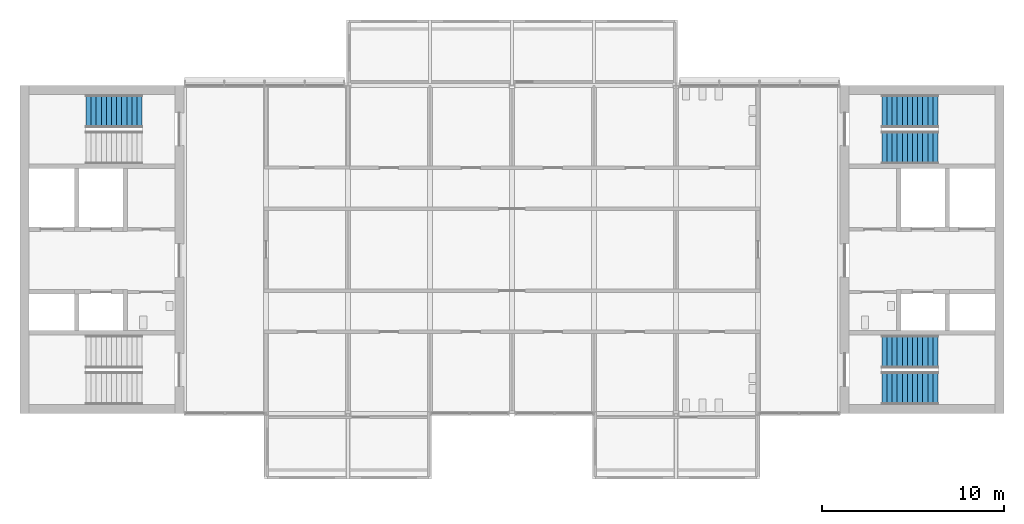
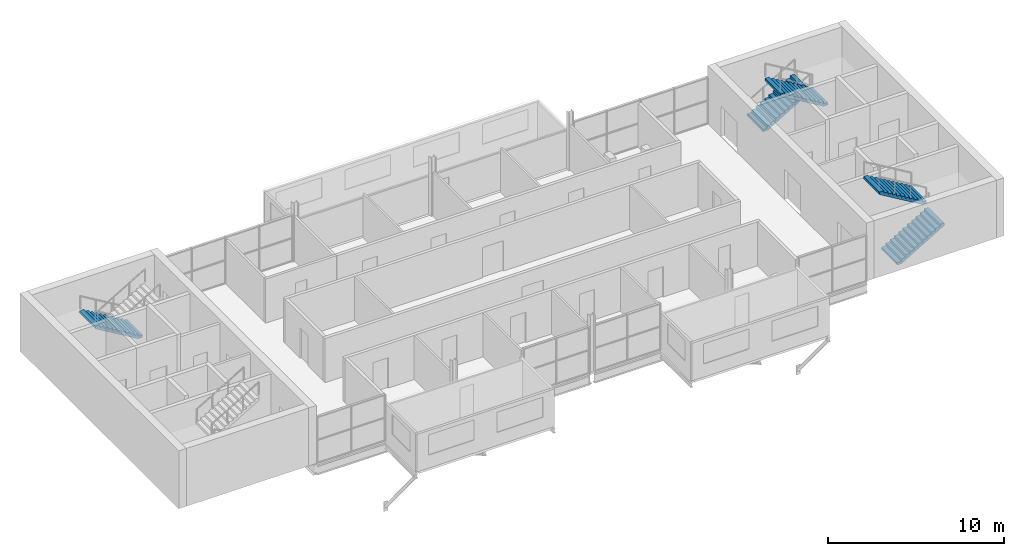
# One storey, part 9 of 12: 5 stair flights, 3 elements without a shape of their own.
"""IFC4 building model written with IfcOpenShell, lengths in metres."""

from ifc_helpers import new_model, si_unit, direction, frame, origin, place, context, subcontext, project, spatial, polyline, outline, extrude, material, type_object, element, aggregate, save


model = new_model("IFC4")

# Units and contexts
model_context = context("Model", 3, precision=1e-05, world=origin(), true_north=direction((0.0, 1.0)))
body_context = subcontext(model_context, "Body", "Model", "MODEL_VIEW")
ifc_project = project(units=[si_unit("LENGTHUNIT", "METRE"), si_unit("AREAUNIT", "SQUARE_METRE"), si_unit("VOLUMEUNIT", "CUBIC_METRE"), si_unit("PLANEANGLEUNIT", "RADIAN"), si_unit("MASSUNIT", "GRAM", prefix="KILO")], contexts=[model_context])

# Site, building, storey
site_placement = place(None, origin())
site = spatial("IfcSite", under=ifc_project, at=site_placement, CompositionType="ELEMENT")
building_placement = place(site_placement, origin())
building = spatial("IfcBuilding", under=site, at=building_placement, Name="Corbel Yard City Hall", CompositionType="ELEMENT")
storey_placement = place(building_placement, frame((0.0, 0.0, 55.199951171875)))
storey = spatial("IfcBuildingStorey", under=building, at=storey_placement, Name="L13", CompositionType="ELEMENT", Elevation=55.199951171875)

# Stair, stair flight
ifc_material = material(Name="Concrete N40 (40 MPa)", Category="concrete")
stair_type = type_object("IfcStairType", Name="ST4", PredefinedType="HALF_TURN_STAIR", material=ifc_material)
stair_1_placement = place(storey_placement, origin())
stair_1 = element("IfcStair", 1, at=stair_1_placement, inside=storey, type_object=stair_type, Name="Exit stair ST-W2 L13", PredefinedType="HALF_TURN_STAIR")
stair_flight_type = type_object("IfcStairFlightType", Name="FL4", PredefinedType="STRAIGHT", material=ifc_material)
stair_flight_1_placement = place(storey_placement, frame((6.699951171875, 115.60009765625, 0.0), z_axis=(0.0, 0.0, 1.0), x_axis=(-1.0, 0.0, 0.0)))
stair_flight_1 = element("IfcStairFlight", 2, at=stair_flight_1_placement, type_object=stair_flight_type, Name="ST-W2 flight 1", NumberOfRisers=12, NumberOfTreads=11, PredefinedType="STRAIGHT", RiserHeight=0.166667, TreadLength=0.28, context=body_context, shape_type="SweptSolid", body=[
    extrude(outline(polyline([(0.0, 0.0), (0.0, 0.166748046875), (0.280029296875, 0.166748046875), (0.280029296875, 0.333251953125), (0.56005859375, 0.333251953125), (0.56005859375, 0.5), (0.840087890625, 0.5), (0.840087890625, 0.666748046875), (1.1201171875, 0.666748046875), (1.1201171875, 0.833251953125), (1.39990234375, 0.833251953125), (1.39990234375, 1.0), (1.679931640625, 1.0), (1.679931640625, 1.166748046875), (1.9599609375, 1.166748046875), (1.9599609375, 1.333251953125), (2.239990234375, 1.333251953125), (2.239990234375, 1.5), (2.52001953125, 1.5), (2.52001953125, 1.666748046875), (2.800048828125, 1.666748046875), (2.800048828125, 1.833251953125), (3.080078125, 1.833251953125), (3.080078125, 2.0), (3.080078125, 1.658935546875), (0.29296875, 0.0), (0.0, 0.0)])), frame((0.0, 0.89990234375, 0.0), z_axis=(0.0, -1.0, 0.0), x_axis=(1.0, 0.0, 0.0)), (0.0, 0.0, 1.0), 1.800048828125),
])
aggregate(stair_1, [stair_flight_1])

# Stair, stair flights
stair_2_placement = place(storey_placement, origin())
stair_2 = element("IfcStair", 3, at=stair_2_placement, inside=storey, type_object=stair_type, Name="Exit stair ST-E1 L13", PredefinedType="HALF_TURN_STAIR")
stair_flight_2_placement = place(storey_placement, frame((47.300048828125, 100.39990234375, 0.0), z_axis=(0.0, 0.0, 1.0), x_axis=(1.0, 0.0, 0.0)))
stair_flight_2 = element("IfcStairFlight", 4, at=stair_flight_2_placement, type_object=stair_flight_type, Name="ST-E1 flight 1", NumberOfRisers=12, NumberOfTreads=11, PredefinedType="STRAIGHT", RiserHeight=0.166667, TreadLength=0.28, context=body_context, shape_type="SweptSolid", body=[
    extrude(outline(polyline([(0.0, 0.0), (0.0, 0.166748046875), (0.280029296875, 0.166748046875), (0.280029296875, 0.333251953125), (0.56005859375, 0.333251953125), (0.56005859375, 0.5), (0.840087890625, 0.5), (0.840087890625, 0.666748046875), (1.1201171875, 0.666748046875), (1.1201171875, 0.833251953125), (1.39990234375, 0.833251953125), (1.39990234375, 1.0), (1.679931640625, 1.0), (1.679931640625, 1.166748046875), (1.9599609375, 1.166748046875), (1.9599609375, 1.333251953125), (2.239990234375, 1.333251953125), (2.239990234375, 1.5), (2.52001953125, 1.5), (2.52001953125, 1.666748046875), (2.800048828125, 1.666748046875), (2.800048828125, 1.833251953125), (3.080078125, 1.833251953125), (3.080078125, 2.0), (3.080078125, 1.658935546875), (0.29296875, 0.0), (0.0, 0.0)])), frame((0.0, 0.89990234375, 0.0), z_axis=(0.0, -1.0, 0.0), x_axis=(1.0, 0.0, 0.0)), (0.0, 0.0, 1.0), 1.800048828125),
])
stair_flight_3_placement = place(storey_placement, frame((50.3798828125, 102.39990234375, 2.0), z_axis=(0.0, 0.0, 1.0), x_axis=(-1.0, 0.0, 0.0)))
stair_flight_3 = element("IfcStairFlight", 5, at=stair_flight_3_placement, type_object=stair_flight_type, Name="ST-E1 flight 2", NumberOfRisers=12, NumberOfTreads=11, PredefinedType="STRAIGHT", RiserHeight=0.166667, TreadLength=0.28, context=body_context, shape_type="SweptSolid", body=[
    extrude(outline(polyline([(0.0, 0.0), (0.0, 0.166748046875), (0.280029296875, 0.166748046875), (0.280029296875, 0.333251953125), (0.56005859375, 0.333251953125), (0.56005859375, 0.5), (0.840087890625, 0.5), (0.840087890625, 0.666748046875), (1.1201171875, 0.666748046875), (1.1201171875, 0.833251953125), (1.39990234375, 0.833251953125), (1.39990234375, 1.0), (1.679931640625, 1.0), (1.679931640625, 1.166748046875), (1.9599609375, 1.166748046875), (1.9599609375, 1.333251953125), (2.239990234375, 1.333251953125), (2.239990234375, 1.5), (2.52001953125, 1.5), (2.52001953125, 1.666748046875), (2.800048828125, 1.666748046875), (2.800048828125, 1.833251953125), (3.080078125, 1.833251953125), (3.080078125, 2.0), (3.080078125, 1.658935546875), (0.29296875, 0.0), (0.0, 0.0)])), frame((0.0, 0.89990234375, 0.0), z_axis=(0.0, -1.0, 0.0), x_axis=(1.0, 0.0, 0.0)), (0.0, 0.0, 1.0), 1.800048828125),
])
aggregate(stair_2, [stair_flight_2, stair_flight_3])

stair_3_placement = place(storey_placement, origin())
stair_3 = element("IfcStair", 6, at=stair_3_placement, inside=storey, type_object=stair_type, Name="Exit stair ST-E2 L13", PredefinedType="HALF_TURN_STAIR")
stair_flight_4_placement = place(storey_placement, frame((47.300048828125, 115.60009765625, 0.0), z_axis=(0.0, 0.0, 1.0), x_axis=(1.0, 0.0, 0.0)))
stair_flight_4 = element("IfcStairFlight", 7, at=stair_flight_4_placement, type_object=stair_flight_type, Name="ST-E2 flight 1", NumberOfRisers=12, NumberOfTreads=11, PredefinedType="STRAIGHT", RiserHeight=0.166667, TreadLength=0.28, context=body_context, shape_type="SweptSolid", body=[
    extrude(outline(polyline([(0.0, 0.0), (0.0, 0.166748046875), (0.280029296875, 0.166748046875), (0.280029296875, 0.333251953125), (0.56005859375, 0.333251953125), (0.56005859375, 0.5), (0.840087890625, 0.5), (0.840087890625, 0.666748046875), (1.1201171875, 0.666748046875), (1.1201171875, 0.833251953125), (1.39990234375, 0.833251953125), (1.39990234375, 1.0), (1.679931640625, 1.0), (1.679931640625, 1.166748046875), (1.9599609375, 1.166748046875), (1.9599609375, 1.333251953125), (2.239990234375, 1.333251953125), (2.239990234375, 1.5), (2.52001953125, 1.5), (2.52001953125, 1.666748046875), (2.800048828125, 1.666748046875), (2.800048828125, 1.833251953125), (3.080078125, 1.833251953125), (3.080078125, 2.0), (3.080078125, 1.658935546875), (0.29296875, 0.0), (0.0, 0.0)])), frame((0.0, 0.89990234375, 0.0), z_axis=(0.0, -1.0, 0.0), x_axis=(1.0, 0.0, 0.0)), (0.0, 0.0, 1.0), 1.800048828125),
])
stair_flight_5_placement = place(storey_placement, frame((50.3798828125, 113.60009765625, 2.0), z_axis=(0.0, 0.0, 1.0), x_axis=(-1.0, 0.0, 0.0)))
stair_flight_5 = element("IfcStairFlight", 8, at=stair_flight_5_placement, type_object=stair_flight_type, Name="ST-E2 flight 2", NumberOfRisers=12, NumberOfTreads=11, PredefinedType="STRAIGHT", RiserHeight=0.166667, TreadLength=0.28, context=body_context, shape_type="SweptSolid", body=[
    extrude(outline(polyline([(0.0, 0.0), (0.0, 0.166748046875), (0.280029296875, 0.166748046875), (0.280029296875, 0.333251953125), (0.56005859375, 0.333251953125), (0.56005859375, 0.5), (0.840087890625, 0.5), (0.840087890625, 0.666748046875), (1.1201171875, 0.666748046875), (1.1201171875, 0.833251953125), (1.39990234375, 0.833251953125), (1.39990234375, 1.0), (1.679931640625, 1.0), (1.679931640625, 1.166748046875), (1.9599609375, 1.166748046875), (1.9599609375, 1.333251953125), (2.239990234375, 1.333251953125), (2.239990234375, 1.5), (2.52001953125, 1.5), (2.52001953125, 1.666748046875), (2.800048828125, 1.666748046875), (2.800048828125, 1.833251953125), (3.080078125, 1.833251953125), (3.080078125, 2.0), (3.080078125, 1.658935546875), (0.29296875, 0.0), (0.0, 0.0)])), frame((0.0, 0.89990234375, 0.0), z_axis=(0.0, -1.0, 0.0), x_axis=(1.0, 0.0, 0.0)), (0.0, 0.0, 1.0), 1.800048828125),
])
aggregate(stair_3, [stair_flight_4, stair_flight_5])

save(model, "model.ifc")
